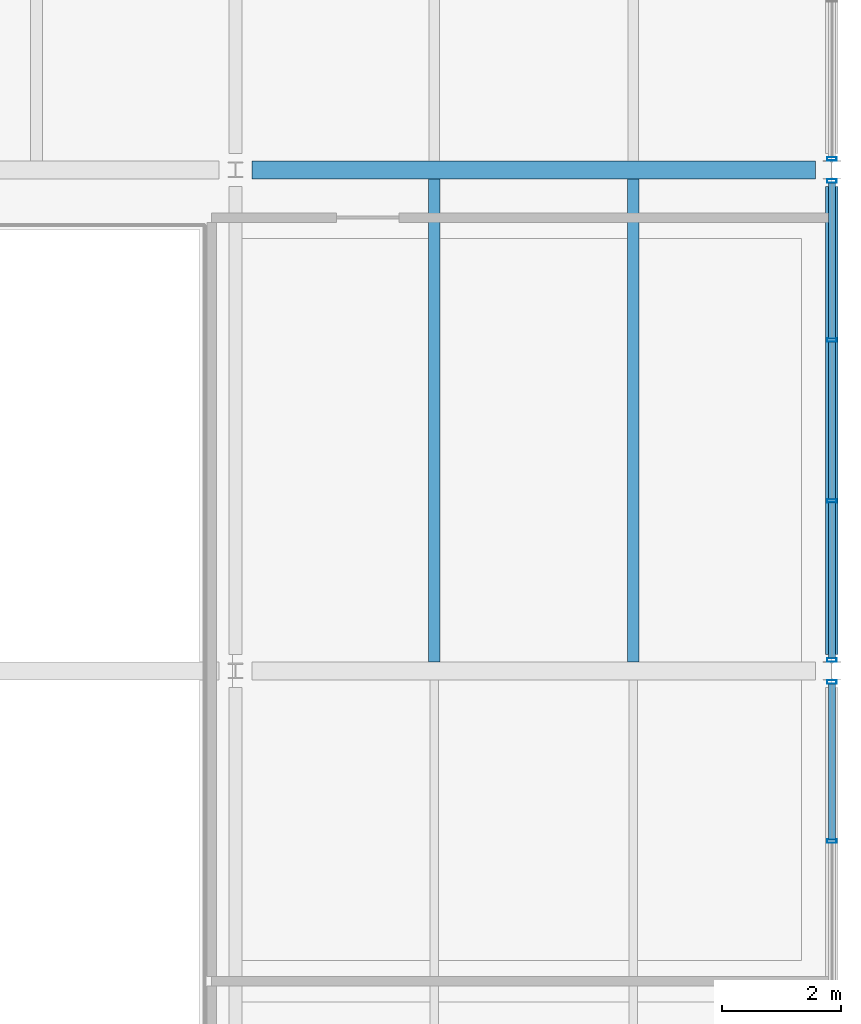
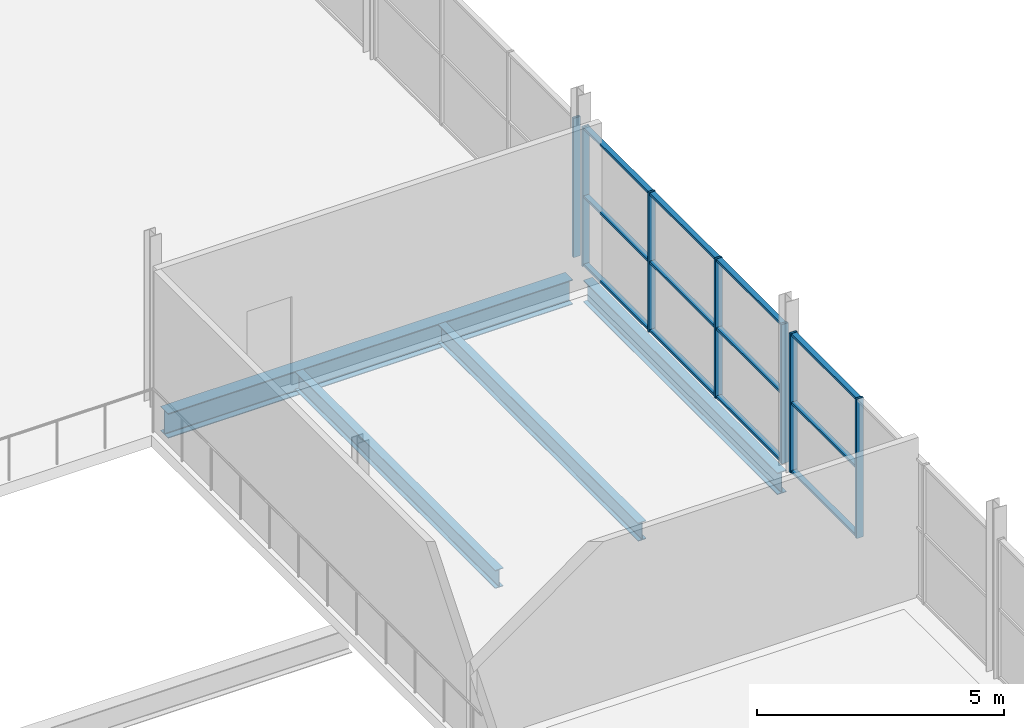
# One storey, part 119 of 161: 19 members, 4 beams, 3 elements without a shape of their own.
"""IFC4 building model written with IfcOpenShell, lengths in metres."""

from ifc_helpers import new_model, si_unit, direction, frame, origin, origin_2d, place, context, subcontext, project, spatial, hollow_rectangle, i_section, extrude, material, material_profile, profile_set, type_object, element, aggregate, save


model = new_model("IFC4")

# Units and contexts
model_context = context("Model", 3, precision=1e-05, world=origin(), true_north=direction((0.0, 1.0)))
body_context = subcontext(model_context, "Body", "Model", "MODEL_VIEW")
ifc_project = project(units=[si_unit("LENGTHUNIT", "METRE"), si_unit("AREAUNIT", "SQUARE_METRE"), si_unit("VOLUMEUNIT", "CUBIC_METRE"), si_unit("PLANEANGLEUNIT", "RADIAN"), si_unit("MASSUNIT", "GRAM", prefix="KILO"), si_unit("THERMODYNAMICTEMPERATUREUNIT", "KELVIN")], contexts=[model_context])

# Site, building, storey
site_placement = place(None, origin())
site = spatial("IfcSite", under=ifc_project, at=site_placement, CompositionType="ELEMENT")
building_placement = place(site_placement, origin())
building = spatial("IfcBuilding", under=site, at=building_placement, Name="Nduvali Passage Aquatics Centre", CompositionType="ELEMENT")
storey_placement = place(building_placement, frame((0.0, 0.0, 4.800048828125)))
storey = spatial("IfcBuildingStorey", under=building, at=storey_placement, Name="L01", CompositionType="ELEMENT", Elevation=4.800048828125)

# Curtain wall, members
ifc_material_1 = material(Name="Aluminium EN AW-6063 T6", Category="aluminium")
curtain_wall_type = type_object("IfcCurtainWallType", Name="ENV-CW-FOYR", PredefinedType="NOTDEFINED", material=ifc_material_1)
curtain_wall_1_placement = place(storey_placement, origin())
curtain_wall_1 = element("IfcCurtainWall", 1, at=curtain_wall_1_placement, inside=storey, type_object=curtain_wall_type, Name="L01 East Avenue Entrance Upper CW 086", PredefinedType="NOTDEFINED")
ifc_material_profile_1 = material_profile(ifc_material_1, hollow_rectangle(XDim=0.06005859375, YDim=0.159912109375, WallThickness=0.00390625, at=origin_2d()), Name="ALU MULLION 60x160x4")
ifc_profile_set_1 = profile_set([ifc_material_profile_1], Name="Aluminium EN AW-6063 T6")
member_type_1 = type_object("IfcMemberType", Name="ENV-MEM-MUL60", PredefinedType="MULLION", material=ifc_profile_set_1)
member_1_placement = place(storey_placement, frame((168.0, 64.348388671875, 0.0), z_axis=(0.0, 0.0, 1.0), x_axis=(0.0, 1.0, 0.0)))
member_1 = element("IfcMember", 2, at=member_1_placement, type_object=member_type_1, Name="East Avenue Entrance Upper CW Mullion 3", PredefinedType="MULLION", context=body_context, shape_type="SweptSolid", body=[
    extrude(hollow_rectangle(XDim=0.06005859375, YDim=0.159912109375, WallThickness=0.00390625, at=origin_2d()), origin(), (0.0, 0.0, 1.0), 3.436279296875),
])
member_2_placement = place(storey_placement, frame((168.0, 67.014892578125, 0.0), z_axis=(0.0, 0.0, 1.0), x_axis=(0.0, 1.0, 0.0)))
member_2 = element("IfcMember", 3, at=member_2_placement, type_object=member_type_1, Name="East Avenue Entrance Upper CW Mullion 4", PredefinedType="MULLION", context=body_context, shape_type="SweptSolid", body=[
    extrude(hollow_rectangle(XDim=0.06005859375, YDim=0.159912109375, WallThickness=0.00390625, at=origin_2d()), origin(), (0.0, 0.0, 1.0), 3.436279296875),
])

curtain_wall_2_placement = place(storey_placement, origin())
curtain_wall_2 = element("IfcCurtainWall", 4, at=curtain_wall_2_placement, inside=storey, type_object=curtain_wall_type, Name="L01 East Avenue Entrance Upper CW 088", PredefinedType="NOTDEFINED")
member_3_placement = place(storey_placement, frame((168.0, 67.385009765625, 0.0), z_axis=(0.0, 0.0, 1.0), x_axis=(0.0, 1.0, 0.0)))
member_3 = element("IfcMember", 5, at=member_3_placement, type_object=member_type_1, Name="East Avenue Entrance Upper CW Mullion 1", PredefinedType="MULLION", context=body_context, shape_type="SweptSolid", body=[
    extrude(hollow_rectangle(XDim=0.06005859375, YDim=0.159912109375, WallThickness=0.00390625, at=origin_2d()), origin(), (0.0, 0.0, 1.0), 3.436279296875),
])
member_4_placement = place(storey_placement, frame((168.0, 70.0517578125, 0.0), z_axis=(0.0, 0.0, 1.0), x_axis=(0.0, 1.0, 0.0)))
member_4 = element("IfcMember", 6, at=member_4_placement, type_object=member_type_1, Name="East Avenue Entrance Upper CW Mullion 2", PredefinedType="MULLION", context=body_context, shape_type="SweptSolid", body=[
    extrude(hollow_rectangle(XDim=0.06005859375, YDim=0.159912109375, WallThickness=0.00390625, at=origin_2d()), origin(), (0.0, 0.0, 1.0), 3.436279296875),
])
member_5_placement = place(storey_placement, frame((168.0, 72.748291015625, 0.0), z_axis=(0.0, 0.0, 1.0), x_axis=(0.0, 1.0, 0.0)))
member_5 = element("IfcMember", 7, at=member_5_placement, type_object=member_type_1, Name="East Avenue Entrance Upper CW Mullion 3", PredefinedType="MULLION", context=body_context, shape_type="SweptSolid", body=[
    extrude(hollow_rectangle(XDim=0.06005859375, YDim=0.159912109375, WallThickness=0.00390625, at=origin_2d()), origin(), (0.0, 0.0, 1.0), 3.436279296875),
])
member_6_placement = place(storey_placement, frame((168.0, 75.4150390625, 0.0), z_axis=(0.0, 0.0, 1.0), x_axis=(0.0, 1.0, 0.0)))
member_6 = element("IfcMember", 8, at=member_6_placement, type_object=member_type_1, Name="East Avenue Entrance Upper CW Mullion 4", PredefinedType="MULLION", context=body_context, shape_type="SweptSolid", body=[
    extrude(hollow_rectangle(XDim=0.06005859375, YDim=0.159912109375, WallThickness=0.00390625, at=origin_2d()), origin(), (0.0, 0.0, 1.0), 3.436279296875),
])

# Curtain wall, member
curtain_wall_3_placement = place(storey_placement, origin())
curtain_wall_3 = element("IfcCurtainWall", 9, at=curtain_wall_3_placement, inside=storey, type_object=curtain_wall_type, Name="L01 East Avenue Entrance Upper CW 090", PredefinedType="NOTDEFINED")
member_7_placement = place(storey_placement, frame((168.0, 75.784912109375, 0.0), z_axis=(0.0, 0.0, 1.0), x_axis=(0.0, 1.0, 0.0)))
member_7 = element("IfcMember", 10, at=member_7_placement, type_object=member_type_1, Name="East Avenue Entrance Upper CW Mullion 1", PredefinedType="MULLION", context=body_context, shape_type="SweptSolid", body=[
    extrude(hollow_rectangle(XDim=0.06005859375, YDim=0.159912109375, WallThickness=0.00390625, at=origin_2d()), origin(), (0.0, 0.0, 1.0), 3.436279296875),
])
aggregate(curtain_wall_3, [member_7])

# Member
ifc_material_profile_2 = material_profile(ifc_material_1, hollow_rectangle(XDim=0.1201171875, YDim=0.06005859375, WallThickness=0.00390625, at=origin_2d()), Name="ALU TRANSOM 120x60x4")
ifc_profile_set_2 = profile_set([ifc_material_profile_2], Name="Aluminium EN AW-6063 T6")
member_type_2 = type_object("IfcMemberType", Name="ENV-MEM-TRN60", PredefinedType="USERDEFINED", material=ifc_profile_set_2)
member_8_placement = place(storey_placement, frame((168.0, 64.37841796875, 0.030029296875), z_axis=(0.0, 1.0, 0.0), x_axis=(-1.0, 0.0, 0.0)))
member_8 = element("IfcMember", 11, at=member_8_placement, type_object=member_type_2, Name="East Avenue Entrance Upper CW Transom B3-R0", ObjectType="TRANSOM", PredefinedType="USERDEFINED", context=body_context, shape_type="SweptSolid", body=[
    extrude(hollow_rectangle(XDim=0.1201171875, YDim=0.06005859375, WallThickness=0.00390625, at=origin_2d()), origin(), (0.0, 0.0, 1.0), 2.606689453125),
])

member_9_placement = place(storey_placement, frame((168.0, 64.37841796875, 1.71826171875), z_axis=(0.0, 1.0, 0.0), x_axis=(-1.0, 0.0, 0.0)))
member_9 = element("IfcMember", 12, at=member_9_placement, type_object=member_type_2, Name="East Avenue Entrance Upper CW Transom B3-R1", ObjectType="TRANSOM", PredefinedType="USERDEFINED", context=body_context, shape_type="SweptSolid", body=[
    extrude(hollow_rectangle(XDim=0.1201171875, YDim=0.06005859375, WallThickness=0.00390625, at=origin_2d()), origin(), (0.0, 0.0, 1.0), 2.606689453125),
])

member_10_placement = place(storey_placement, frame((168.0, 64.37841796875, 3.40625), z_axis=(0.0, 1.0, 0.0), x_axis=(-1.0, 0.0, 0.0)))
member_10 = element("IfcMember", 13, at=member_10_placement, type_object=member_type_2, Name="East Avenue Entrance Upper CW Transom B3-R2", ObjectType="TRANSOM", PredefinedType="USERDEFINED", context=body_context, shape_type="SweptSolid", body=[
    extrude(hollow_rectangle(XDim=0.1201171875, YDim=0.06005859375, WallThickness=0.00390625, at=origin_2d()), origin(), (0.0, 0.0, 1.0), 2.606689453125),
])

aggregate(curtain_wall_1, [member_1, member_2, member_8, member_9, member_10])

member_11_placement = place(storey_placement, frame((168.0, 67.4150390625, 0.030029296875), z_axis=(0.0, 1.0, 0.0), x_axis=(-1.0, 0.0, 0.0)))
member_11 = element("IfcMember", 14, at=member_11_placement, type_object=member_type_2, Name="East Avenue Entrance Upper CW Transom B1-R0", ObjectType="TRANSOM", PredefinedType="USERDEFINED", context=body_context, shape_type="SweptSolid", body=[
    extrude(hollow_rectangle(XDim=0.1201171875, YDim=0.06005859375, WallThickness=0.00390625, at=origin_2d()), origin(), (0.0, 0.0, 1.0), 2.606689453125),
])

member_12_placement = place(storey_placement, frame((168.0, 67.4150390625, 1.71826171875), z_axis=(0.0, 1.0, 0.0), x_axis=(-1.0, 0.0, 0.0)))
member_12 = element("IfcMember", 15, at=member_12_placement, type_object=member_type_2, Name="East Avenue Entrance Upper CW Transom B1-R1", ObjectType="TRANSOM", PredefinedType="USERDEFINED", context=body_context, shape_type="SweptSolid", body=[
    extrude(hollow_rectangle(XDim=0.1201171875, YDim=0.06005859375, WallThickness=0.00390625, at=origin_2d()), origin(), (0.0, 0.0, 1.0), 2.606689453125),
])

member_13_placement = place(storey_placement, frame((168.0, 67.4150390625, 3.40625), z_axis=(0.0, 1.0, 0.0), x_axis=(-1.0, 0.0, 0.0)))
member_13 = element("IfcMember", 16, at=member_13_placement, type_object=member_type_2, Name="East Avenue Entrance Upper CW Transom B1-R2", ObjectType="TRANSOM", PredefinedType="USERDEFINED", context=body_context, shape_type="SweptSolid", body=[
    extrude(hollow_rectangle(XDim=0.1201171875, YDim=0.06005859375, WallThickness=0.00390625, at=origin_2d()), origin(), (0.0, 0.0, 1.0), 2.606689453125),
])

member_14_placement = place(storey_placement, frame((168.0, 70.081787109375, 0.030029296875), z_axis=(0.0, 1.0, 0.0), x_axis=(-1.0, 0.0, 0.0)))
member_14 = element("IfcMember", 17, at=member_14_placement, type_object=member_type_2, Name="East Avenue Entrance Upper CW Transom B2-R0", ObjectType="TRANSOM", PredefinedType="USERDEFINED", context=body_context, shape_type="SweptSolid", body=[
    extrude(hollow_rectangle(XDim=0.1201171875, YDim=0.06005859375, WallThickness=0.00390625, at=origin_2d()), origin(), (0.0, 0.0, 1.0), 2.636474609375),
])

member_15_placement = place(storey_placement, frame((168.0, 70.081787109375, 1.71826171875), z_axis=(0.0, 1.0, 0.0), x_axis=(-1.0, 0.0, 0.0)))
member_15 = element("IfcMember", 18, at=member_15_placement, type_object=member_type_2, Name="East Avenue Entrance Upper CW Transom B2-R1", ObjectType="TRANSOM", PredefinedType="USERDEFINED", context=body_context, shape_type="SweptSolid", body=[
    extrude(hollow_rectangle(XDim=0.1201171875, YDim=0.06005859375, WallThickness=0.00390625, at=origin_2d()), origin(), (0.0, 0.0, 1.0), 2.636474609375),
])

member_16_placement = place(storey_placement, frame((168.0, 70.081787109375, 3.40625), z_axis=(0.0, 1.0, 0.0), x_axis=(-1.0, 0.0, 0.0)))
member_16 = element("IfcMember", 19, at=member_16_placement, type_object=member_type_2, Name="East Avenue Entrance Upper CW Transom B2-R2", ObjectType="TRANSOM", PredefinedType="USERDEFINED", context=body_context, shape_type="SweptSolid", body=[
    extrude(hollow_rectangle(XDim=0.1201171875, YDim=0.06005859375, WallThickness=0.00390625, at=origin_2d()), origin(), (0.0, 0.0, 1.0), 2.636474609375),
])

member_17_placement = place(storey_placement, frame((168.0, 72.7783203125, 0.030029296875), z_axis=(0.0, 1.0, 0.0), x_axis=(-1.0, 0.0, 0.0)))
member_17 = element("IfcMember", 20, at=member_17_placement, type_object=member_type_2, Name="East Avenue Entrance Upper CW Transom B3-R0", ObjectType="TRANSOM", PredefinedType="USERDEFINED", context=body_context, shape_type="SweptSolid", body=[
    extrude(hollow_rectangle(XDim=0.1201171875, YDim=0.06005859375, WallThickness=0.00390625, at=origin_2d()), origin(), (0.0, 0.0, 1.0), 2.606689453125),
])

member_18_placement = place(storey_placement, frame((168.0, 72.7783203125, 1.71826171875), z_axis=(0.0, 1.0, 0.0), x_axis=(-1.0, 0.0, 0.0)))
member_18 = element("IfcMember", 21, at=member_18_placement, type_object=member_type_2, Name="East Avenue Entrance Upper CW Transom B3-R1", ObjectType="TRANSOM", PredefinedType="USERDEFINED", context=body_context, shape_type="SweptSolid", body=[
    extrude(hollow_rectangle(XDim=0.1201171875, YDim=0.06005859375, WallThickness=0.00390625, at=origin_2d()), origin(), (0.0, 0.0, 1.0), 2.606689453125),
])

member_19_placement = place(storey_placement, frame((168.0, 72.7783203125, 3.40625), z_axis=(0.0, 1.0, 0.0), x_axis=(-1.0, 0.0, 0.0)))
member_19 = element("IfcMember", 22, at=member_19_placement, type_object=member_type_2, Name="East Avenue Entrance Upper CW Transom B3-R2", ObjectType="TRANSOM", PredefinedType="USERDEFINED", context=body_context, shape_type="SweptSolid", body=[
    extrude(hollow_rectangle(XDim=0.1201171875, YDim=0.06005859375, WallThickness=0.00390625, at=origin_2d()), origin(), (0.0, 0.0, 1.0), 2.606689453125),
])

aggregate(curtain_wall_2, [member_3, member_4, member_5, member_6, member_11, member_12, member_13, member_14, member_15, member_16, member_17, member_18, member_19])

# Beams
ifc_material_2 = material(Name="Steel S355", Category="steel")
ifc_material_profile_3 = material_profile(ifc_material_2, i_section(OverallWidth=0.210693359375, OverallDepth=0.53955078125, WebThickness=0.01171875, FlangeThickness=0.018798828125, FilletRadius=0.0126953125, at=origin_2d()), Name="UKB 533x210x109")
ifc_profile_set_3 = profile_set([ifc_material_profile_3], Name="Steel S355")
beam_type_1 = type_object("IfcBeamType", Name="STR-BM-UKB533-EXT", PredefinedType="BEAM", material=ifc_profile_set_3)
beam_1_placement = place(storey_placement, frame((168.0, 67.47509765625, -0.553955078125), z_axis=(0.0, 1.0, 0.0), x_axis=(-1.0, 0.0, 0.0)))
element("IfcBeam", 23, at=beam_1_placement, inside=storey, type_object=beam_type_1, Name="L01 Primary Y-Girder B6E-0687", PredefinedType="BEAM", context=body_context, shape_type="SweptSolid", body=[
    extrude(i_section(OverallWidth=0.210693359375, OverallDepth=0.53955078125, WebThickness=0.01171875, FlangeThickness=0.018798828125, FilletRadius=0.0126953125, at=origin_2d()), origin(), (0.0, 0.0, 1.0), 7.849853515625),
])
ifc_material_profile_4 = material_profile(ifc_material_2, i_section(OverallWidth=0.3046875, OverallDepth=0.6123046875, WebThickness=0.01171875, FlangeThickness=0.019775390625, FilletRadius=0.0166015625, at=origin_2d()), Name="UKB 610x305x149")
ifc_profile_set_4 = profile_set([ifc_material_profile_4], Name="Steel S355")
beam_type_2 = type_object("IfcBeamType", Name="STR-BM-UKB610W", PredefinedType="BEAM", material=ifc_profile_set_4)
beam_2_placement = place(storey_placement, frame((158.27490234375, 75.60009765625, -0.59033203125), z_axis=(1.0, 0.0, 0.0), x_axis=(0.0, 1.0, 0.0)))
element("IfcBeam", 24, at=beam_2_placement, inside=storey, type_object=beam_type_2, Name="L01 Primary X-Girder B5A-0507", PredefinedType="BEAM", context=body_context, shape_type="SweptSolid", body=[
    extrude(i_section(OverallWidth=0.3046875, OverallDepth=0.6123046875, WebThickness=0.01171875, FlangeThickness=0.019775390625, FilletRadius=0.0166015625, at=origin_2d()), origin(), (0.0, 0.0, 1.0), 9.4501953125),
])
ifc_material_profile_5 = material_profile(ifc_material_2, i_section(OverallWidth=0.18994140625, OverallDepth=0.449951171875, WebThickness=0.009521484375, FlangeThickness=0.0146484375, FilletRadius=0.02099609375, at=origin_2d()), Name="IPE 450")
ifc_profile_set_5 = profile_set([ifc_material_profile_5], Name="Steel S355")
beam_type_3 = type_object("IfcBeamType", Name="STR-JST-IPE450", PredefinedType="JOIST", material=ifc_profile_set_5)
for number, where, z_axis, x_axis, name in (
    (25, (161.333251953125, 67.352294921875, -0.509033203125), (0.0, 1.0, 0.0), (-1.0, 0.0, 0.0), "L01 Secondary Joist J5B-0784"),
    (26, (164.666748046875, 67.352294921875, -0.509033203125), (0.0, 1.0, 0.0), (-1.0, 0.0, 0.0), "L01 Secondary Joist J5B-0785"),
):
    element("IfcBeam", number, at=place(storey_placement, frame(where, z_axis=z_axis, x_axis=x_axis)), inside=storey, type_object=beam_type_3, Name=name, PredefinedType="JOIST", context=body_context, shape_type="SweptSolid", body=[
        extrude(i_section(OverallWidth=0.18994140625, OverallDepth=0.449951171875, WebThickness=0.009521484375, FlangeThickness=0.0146484375, FilletRadius=0.02099609375, at=origin_2d()), origin(), (0.0, 0.0, 1.0), 8.09521484375),
    ])

save(model, "model.ifc")
